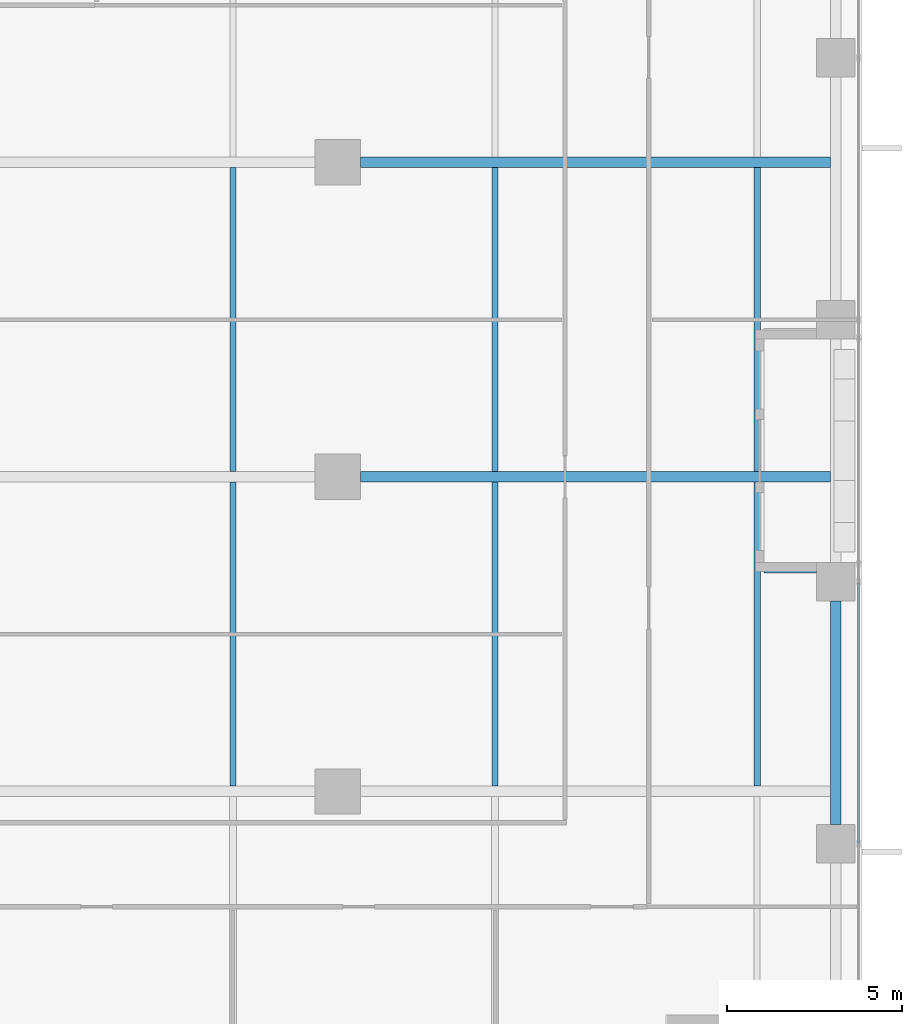
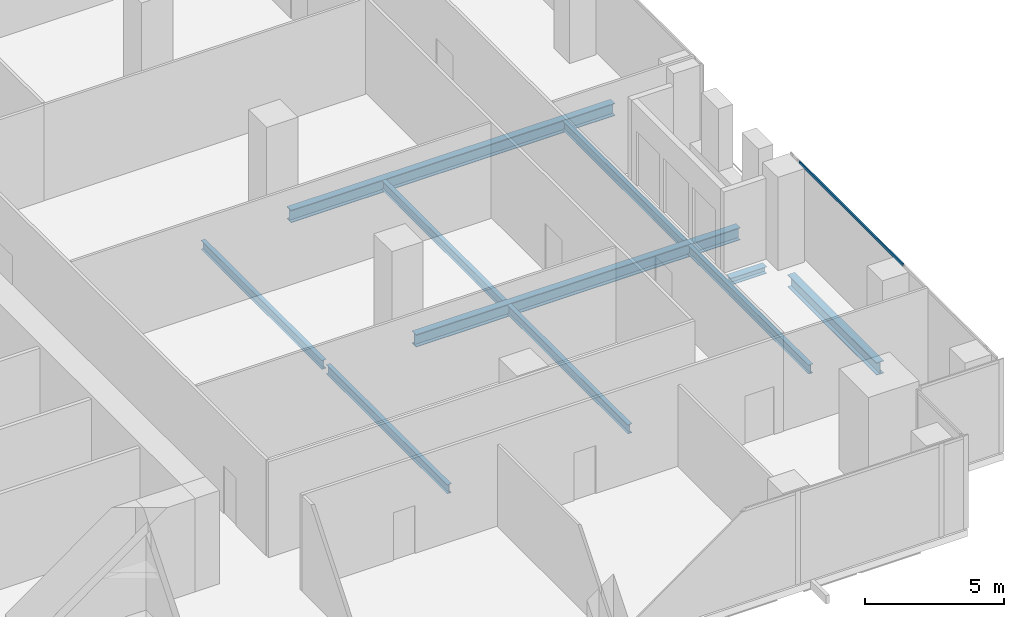
# One storey, part 12 of 34: 10 beams, 1 member, 1 element without a shape of its own.
"""IFC4 building model written with IfcOpenShell, lengths in metres."""

from ifc_helpers import new_model, si_unit, direction, frame, origin, origin_2d, place, context, subcontext, project, spatial, hollow_rectangle, i_section, extrude, source, transform, mapped, material, material_profile, profile_set, type_object, element, aggregate, save


model = new_model("IFC4")

# Units and contexts
model_context = context("Model", 3, precision=1e-05, world=origin(), true_north=direction((0.0, 1.0)))
body_context = subcontext(model_context, "Body", "Model", "MODEL_VIEW")
ifc_project = project(units=[si_unit("LENGTHUNIT", "METRE"), si_unit("AREAUNIT", "SQUARE_METRE"), si_unit("VOLUMEUNIT", "CUBIC_METRE"), si_unit("PLANEANGLEUNIT", "RADIAN"), si_unit("MASSUNIT", "GRAM", prefix="KILO")], contexts=[model_context])

# Site, building, storey
site_placement = place(None, origin())
site = spatial("IfcSite", under=ifc_project, at=site_placement, CompositionType="ELEMENT")
building_placement = place(site_placement, origin())
building = spatial("IfcBuilding", under=site, at=building_placement, Name="Khomas Fold Tower", CompositionType="ELEMENT")
storey_placement = place(building_placement, frame((0.0, 0.0, 105.89990234375)))
storey = spatial("IfcBuildingStorey", under=building, at=storey_placement, Name="L22", CompositionType="ELEMENT", Elevation=105.89990234375)

# Beams
ifc_material_1 = material(Name="Steel S355", Category="steel")
ifc_material_profile_1 = material_profile(ifc_material_1, i_section(OverallWidth=0.179931640625, OverallDepth=0.39990234375, WebThickness=0.008544921875, FlangeThickness=0.013427734375, at=origin_2d()), Name="IPE 400")
ifc_profile_set_1 = profile_set([ifc_material_profile_1], Name="Steel S355")
beam_type_1 = type_object("IfcBeamType", Name="IPE 400 beam JB3", PredefinedType="BEAM", material=ifc_profile_set_1)
shared_shape_1 = source(origin(), body_context, "Body", "SweptSolid", [
    extrude(i_section(OverallWidth=0.179931640625, OverallDepth=0.39990234375, WebThickness=0.008544921875, FlangeThickness=0.013427734375, at=origin_2d()), origin(), (0.0, 0.0, 1.0), 8.7001953125),
])
for number, where, z_axis, x_axis, name in (
    (1, (34.5, 13.64990234375, -0.5), (0.0, 1.0, 0.0), (-1.0, 0.0, 0.0), "JB3"),
    (2, (34.5, 22.64990234375, -0.5), (0.0, 1.0, 0.0), (-1.0, 0.0, 0.0), "JB3"),
    (3, (42.0, 13.64990234375, -0.5), (0.0, 1.0, 0.0), (-1.0, 0.0, 0.0), "JB3"),
    (4, (42.0, 22.64990234375, -0.5), (0.0, 1.0, 0.0), (-1.0, 0.0, 0.0), "JB3"),
    (5, (49.5, 13.64990234375, -0.5), (0.0, 1.0, 0.0), (-1.0, 0.0, 0.0), "JB3"),
    (6, (49.5, 22.64990234375, -0.5), (0.0, 1.0, 0.0), (-1.0, 0.0, 0.0), "JB3"),
):
    element("IfcBeam", number, at=place(storey_placement, frame(where, z_axis=z_axis, x_axis=x_axis)), inside=storey, type_object=beam_type_1, Name=name, PredefinedType="BEAM", context=body_context, shape_type="MappedRepresentation", body=[
        mapped(shared_shape_1, transform((0.0, 0.0, 0.0))),
    ])
ifc_material_2 = material(Name="Steel S355", Category="steel")
ifc_material_profile_2 = material_profile(ifc_material_2, i_section(OverallWidth=0.300048828125, OverallDepth=0.550048828125, WebThickness=0.014892578125, FlangeThickness=0.029052734375, at=origin_2d()), Name="HE 550 B")
ifc_profile_set_2 = profile_set([ifc_material_profile_2], Name="Steel S355")
beam_type_2 = type_object("IfcBeamType", Name="HE 550 B spandrel SB2", PredefinedType="SPANDREL", material=ifc_profile_set_2)
shared_shape_2 = source(origin(), body_context, "Body", "SweptSolid", [
    extrude(i_section(OverallWidth=0.300048828125, OverallDepth=0.550048828125, WebThickness=0.014892578125, FlangeThickness=0.029052734375, at=origin_2d()), origin(), (0.0, 0.0, 1.0), 6.39990234375),
])
beam_1_placement = place(storey_placement, frame((51.75, 12.550048828125, -0.574951171875), z_axis=(0.0, 1.0, 0.0), x_axis=(-1.0, 0.0, 0.0)))
element("IfcBeam", 7, at=beam_1_placement, inside=storey, type_object=beam_type_2, Name="SB2", PredefinedType="SPANDREL", context=body_context, shape_type="MappedRepresentation", body=[
    mapped(shared_shape_2, transform((0.0, 0.0, 0.0))),
])
ifc_material_3 = material(Name="Steel S355", Category="steel")
ifc_material_profile_3 = material_profile(ifc_material_3, i_section(OverallWidth=0.300048828125, OverallDepth=0.550048828125, WebThickness=0.014892578125, FlangeThickness=0.029052734375, at=origin_2d()), Name="HE 550 B")
ifc_profile_set_3 = profile_set([ifc_material_profile_3], Name="Steel S355")
beam_type_3 = type_object("IfcBeamType", Name="HE 550 B beam GB4", PredefinedType="BEAM", material=ifc_profile_set_3)
shared_shape_3 = source(origin(), body_context, "Body", "SweptSolid", [
    extrude(i_section(OverallWidth=0.300048828125, OverallDepth=0.550048828125, WebThickness=0.014892578125, FlangeThickness=0.029052734375, at=origin_2d()), origin(), (0.0, 0.0, 1.0), 13.4501953125),
])
for number, where, z_axis, x_axis, name in (
    (8, (38.14990234375, 22.5, -0.574951171875), (1.0, 0.0, 0.0), (0.0, 1.0, 0.0), "GB4"),
    (9, (38.14990234375, 31.5, -0.574951171875), (1.0, 0.0, 0.0), (0.0, 1.0, 0.0), "GB4"),
):
    element("IfcBeam", number, at=place(storey_placement, frame(where, z_axis=z_axis, x_axis=x_axis)), inside=storey, type_object=beam_type_3, Name=name, PredefinedType="BEAM", context=body_context, shape_type="MappedRepresentation", body=[
        mapped(shared_shape_3, transform((0.0, 0.0, 0.0))),
    ])
ifc_material_4 = material(Name="Steel S355", Category="steel")
ifc_material_profile_4 = material_profile(ifc_material_4, i_section(OverallWidth=0.300048828125, OverallDepth=0.300048828125, WebThickness=0.010986328125, FlangeThickness=0.01904296875, at=origin_2d()), Name="HE 300 B")
ifc_profile_set_4 = profile_set([ifc_material_profile_4], Name="Steel S355")
beam_type_4 = type_object("IfcBeamType", Name="HE 300 B beam BB1", PredefinedType="BEAM", material=ifc_profile_set_4)
shared_shape_4 = source(origin(), body_context, "Body", "SweptSolid", [
    extrude(i_section(OverallWidth=0.300048828125, OverallDepth=0.300048828125, WebThickness=0.010986328125, FlangeThickness=0.01904296875, at=origin_2d()), origin(), (0.0, 0.0, 1.0), 1.5),
])
beam_2_placement = place(storey_placement, frame((49.699951171875, 19.89990234375, -0.449951171875), z_axis=(1.0, 0.0, 0.0), x_axis=(0.0, 1.0, 0.0)))
element("IfcBeam", 10, at=beam_2_placement, inside=storey, type_object=beam_type_4, Name="BB1", PredefinedType="BEAM", context=body_context, shape_type="MappedRepresentation", body=[
    mapped(shared_shape_4, transform((0.0, 0.0, 0.0))),
])

# Curtain wall, member
ifc_material_5 = material(Name="Aluminium framed double glazing", Category="aluminium")
curtain_wall_type = type_object("IfcCurtainWallType", Name="SK-Unitised clear-glass wall, growing floors CW1", PredefinedType="NOTDEFINED", material=ifc_material_5)
curtain_wall_placement = place(storey_placement, origin())
curtain_wall = element("IfcCurtainWall", 11, at=curtain_wall_placement, inside=storey, type_object=curtain_wall_type, Name="CW1 run L22 03-0", PredefinedType="NOTDEFINED")
ifc_material_6 = material(Name="Aluminium", Category="aluminium")
ifc_material_profile_5 = material_profile(ifc_material_6, hollow_rectangle(XDim=0.06005859375, YDim=0.1201171875, WallThickness=0.00390625, at=origin_2d()), Name="SK-Unitised clear-glass wall, growing floors transom CW1-T")
ifc_profile_set_5 = profile_set([ifc_material_profile_5], Name="Aluminium")
member_type = type_object("IfcMemberType", Name="SK-Unitised clear-glass wall, growing floors transom CW1-T", PredefinedType="USERDEFINED", material=ifc_profile_set_5)
shared_shape_5 = source(origin(), body_context, "Body", "SweptSolid", [
    extrude(hollow_rectangle(XDim=0.06005859375, YDim=0.1201171875, WallThickness=0.00390625, at=origin_2d()), origin(), (0.0, 0.0, 1.0), 7.43994140625),
])
member_placement = place(storey_placement, frame((52.39990234375, 12.030029296875, 4.0400390625), z_axis=(0.0, 1.0, 0.0), x_axis=(-1.0, 0.0, 0.0)))
member = element("IfcMember", 12, at=member_placement, type_object=member_type, Name="CW1 transom 3", ObjectType="TRANSOM", PredefinedType="USERDEFINED", context=body_context, shape_type="MappedRepresentation", body=[
    mapped(shared_shape_5, transform((0.0, 0.0, 0.0))),
])
aggregate(curtain_wall, [member])

save(model, "model.ifc")
